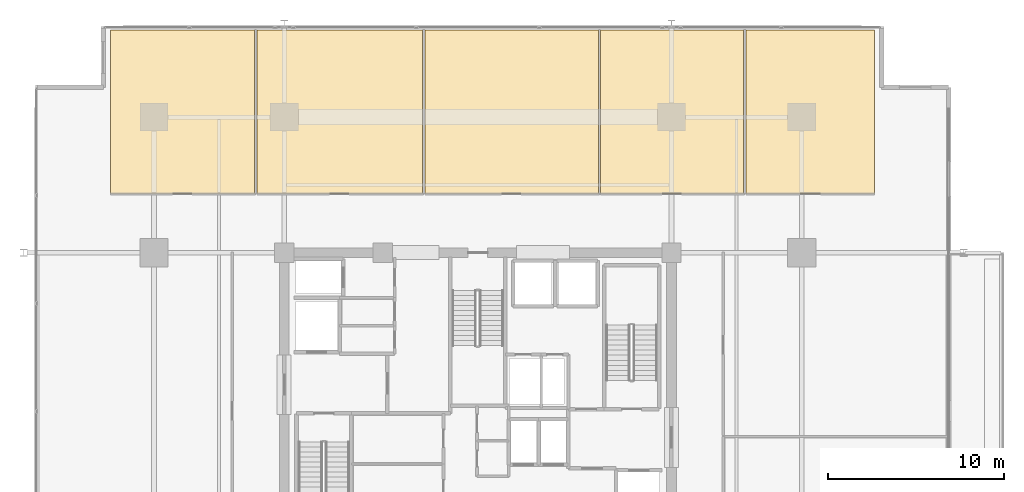
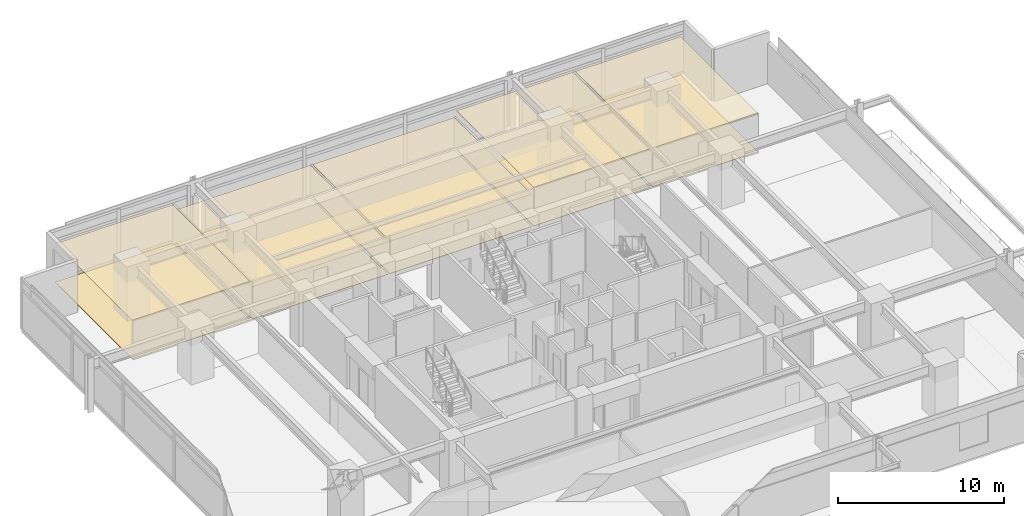
# One storey, part 21 of 21: 10 coverings.
"""IFC4 building model written with IfcOpenShell, lengths in metres."""

from ifc_helpers import new_model, si_unit, direction, frame, origin, place, context, subcontext, project, spatial, polyline, outline, extrude, material, layer, layer_set, type_object, element, save


model = new_model("IFC4")

# Units and contexts
model_context = context("Model", 3, precision=1e-05, world=origin(), true_north=direction((0.0, 1.0)))
body_context = subcontext(model_context, "Body", "Model", "MODEL_VIEW")
ifc_project = project(units=[si_unit("LENGTHUNIT", "METRE"), si_unit("AREAUNIT", "SQUARE_METRE"), si_unit("VOLUMEUNIT", "CUBIC_METRE"), si_unit("PLANEANGLEUNIT", "RADIAN"), si_unit("MASSUNIT", "GRAM", prefix="KILO")], contexts=[model_context])

# Site, building, storey
site_placement = place(None, origin())
site = spatial("IfcSite", under=ifc_project, at=site_placement, CompositionType="ELEMENT")
building_placement = place(site_placement, origin())
building = spatial("IfcBuilding", under=site, at=building_placement, Name="Kovane Verandah Tower", CompositionType="ELEMENT")
storey_placement = place(building_placement, frame((0.0, 0.0, 172.39990234375)))
storey = spatial("IfcBuildingStorey", under=building, at=storey_placement, Name="L40", CompositionType="ELEMENT", Elevation=172.39990234375)

# Coverings
ifc_material_1 = material(Name="Perforated Acoustic Mineral-Fibre Ceiling Tile", Category="gypsum")
ifc_layer_1 = layer(ifc_material_1, 0.02490234375)
ifc_layer_set_1 = layer_set([ifc_layer_1], Name="Perforated Acoustic Mineral-Fibre Ceiling Tile")
covering_type_1 = type_object("IfcCoveringType", Name="CV-CEIL-25", PredefinedType="CEILING", material=ifc_layer_set_1)
covering_1_placement = place(storey_placement, frame((0.0, 0.0, 2.8251953125)))
element("IfcCovering", 1, at=covering_1_placement, inside=storey, type_object=covering_type_1, Name="L40 Breakout Pantry N1 Acoustic Ceiling", PredefinedType="CEILING", context=body_context, shape_type="SweptSolid", body=[
    extrude(outline(polyline([(19.129638671875, 39.85009765625), (27.307373046875, 39.85009765625), (27.307373046875, 49.139404296875), (19.129638671875, 49.139404296875), (19.129638671875, 39.85009765625)])), origin(), (0.0, 0.0, 1.0), 0.02490234375),
])
covering_2_placement = place(storey_placement, frame((0.0, 0.0, 2.380126953125)))
element("IfcCovering", 2, at=covering_2_placement, inside=storey, type_object=covering_type_1, Name="L40 Collaboration Hub N2 Acoustic Ceiling", PredefinedType="CEILING", context=body_context, shape_type="SweptSolid", body=[
    extrude(outline(polyline([(27.447265625, 39.85009765625), (36.857421875, 39.85009765625), (36.857421875, 49.139404296875), (27.447265625, 49.139404296875), (27.447265625, 39.85009765625)])), origin(), (0.0, 0.0, 1.0), 0.02490234375),
])
covering_3_placement = place(storey_placement, frame((0.0, 0.0, 2.380126953125)))
element("IfcCovering", 3, at=covering_3_placement, inside=storey, type_object=covering_type_1, Name="L40 Document and Print Room N3 Acoustic Ceiling", PredefinedType="CEILING", context=body_context, shape_type="SweptSolid", body=[
    extrude(outline(polyline([(36.997314453125, 39.85009765625), (46.84130859375, 39.85009765625), (46.84130859375, 49.139404296875), (36.997314453125, 49.139404296875), (36.997314453125, 39.85009765625)])), origin(), (0.0, 0.0, 1.0), 0.02490234375),
])
covering_4_placement = place(storey_placement, frame((0.0, 0.0, 2.8251953125)))
element("IfcCovering", 4, at=covering_4_placement, inside=storey, type_object=covering_type_1, Name="L40 Open Plan Office N4 Acoustic Ceiling", PredefinedType="CEILING", context=body_context, shape_type="SweptSolid", body=[
    extrude(outline(polyline([(46.9814453125, 39.85009765625), (55.089111328125, 39.85009765625), (55.089111328125, 49.139404296875), (46.9814453125, 49.139404296875), (46.9814453125, 39.85009765625)])), origin(), (0.0, 0.0, 1.0), 0.02490234375),
])
covering_5_placement = place(storey_placement, frame((0.0, 0.0, 2.8251953125)))
element("IfcCovering", 5, at=covering_5_placement, inside=storey, type_object=covering_type_1, Name="L40 Executive Office N5 Acoustic Ceiling", PredefinedType="CEILING", context=body_context, shape_type="SweptSolid", body=[
    extrude(outline(polyline([(55.229248046875, 39.85009765625), (62.538818359375, 39.85009765625), (62.538818359375, 49.139404296875), (55.229248046875, 49.139404296875), (55.229248046875, 39.85009765625)])), origin(), (0.0, 0.0, 1.0), 0.02490234375),
])
ifc_material_2 = material(Name="Polished Terrazzo and Raised-Access Carpet Tile Finish", Category="concrete")
ifc_layer_2 = layer(ifc_material_2, 0.030029296875)
ifc_layer_set_2 = layer_set([ifc_layer_2], Name="Polished Terrazzo and Raised-Access Carpet Tile Finish")
covering_type_2 = type_object("IfcCoveringType", Name="CV-FLOR-30", PredefinedType="FLOORING", material=ifc_layer_set_2)
covering_6_placement = place(storey_placement, origin())
element("IfcCovering", 6, at=covering_6_placement, inside=storey, type_object=covering_type_2, Name="L40 Breakout Pantry N1 Floor Finish", PredefinedType="FLOORING", context=body_context, shape_type="SweptSolid", body=[
    extrude(outline(polyline([(19.129638671875, 39.85009765625), (27.307373046875, 39.85009765625), (27.307373046875, 49.139404296875), (19.129638671875, 49.139404296875), (19.129638671875, 39.85009765625)])), origin(), (0.0, 0.0, 1.0), 0.030029296875),
])
covering_7_placement = place(storey_placement, origin())
element("IfcCovering", 7, at=covering_7_placement, inside=storey, type_object=covering_type_2, Name="L40 Collaboration Hub N2 Floor Finish", PredefinedType="FLOORING", context=body_context, shape_type="SweptSolid", body=[
    extrude(outline(polyline([(27.447265625, 39.85009765625), (36.857421875, 39.85009765625), (36.857421875, 49.139404296875), (27.447265625, 49.139404296875), (27.447265625, 39.85009765625)])), origin(), (0.0, 0.0, 1.0), 0.030029296875),
])
covering_8_placement = place(storey_placement, origin())
element("IfcCovering", 8, at=covering_8_placement, inside=storey, type_object=covering_type_2, Name="L40 Document and Print Room N3 Floor Finish", PredefinedType="FLOORING", context=body_context, shape_type="SweptSolid", body=[
    extrude(outline(polyline([(36.997314453125, 39.85009765625), (46.84130859375, 39.85009765625), (46.84130859375, 49.139404296875), (36.997314453125, 49.139404296875), (36.997314453125, 39.85009765625)])), origin(), (0.0, 0.0, 1.0), 0.030029296875),
])
covering_9_placement = place(storey_placement, origin())
element("IfcCovering", 9, at=covering_9_placement, inside=storey, type_object=covering_type_2, Name="L40 Open Plan Office N4 Floor Finish", PredefinedType="FLOORING", context=body_context, shape_type="SweptSolid", body=[
    extrude(outline(polyline([(46.9814453125, 39.85009765625), (55.089111328125, 39.85009765625), (55.089111328125, 49.139404296875), (46.9814453125, 49.139404296875), (46.9814453125, 39.85009765625)])), origin(), (0.0, 0.0, 1.0), 0.030029296875),
])
covering_10_placement = place(storey_placement, origin())
element("IfcCovering", 10, at=covering_10_placement, inside=storey, type_object=covering_type_2, Name="L40 Executive Office N5 Floor Finish", PredefinedType="FLOORING", context=body_context, shape_type="SweptSolid", body=[
    extrude(outline(polyline([(55.229248046875, 39.85009765625), (62.538818359375, 39.85009765625), (62.538818359375, 49.139404296875), (55.229248046875, 49.139404296875), (55.229248046875, 39.85009765625)])), origin(), (0.0, 0.0, 1.0), 0.030029296875),
])

save(model, "model.ifc")
